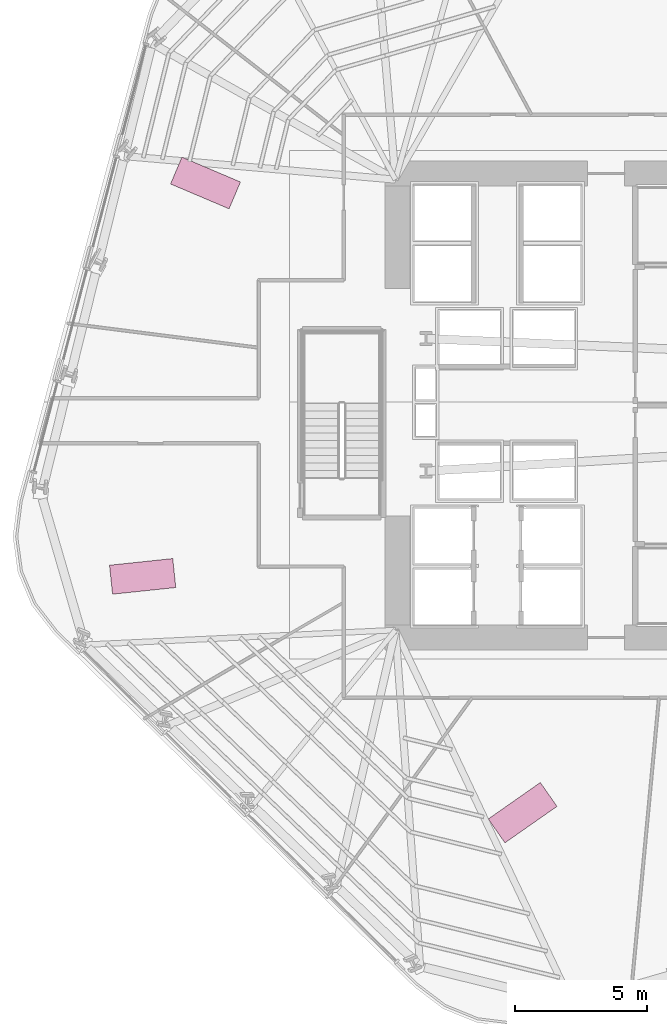
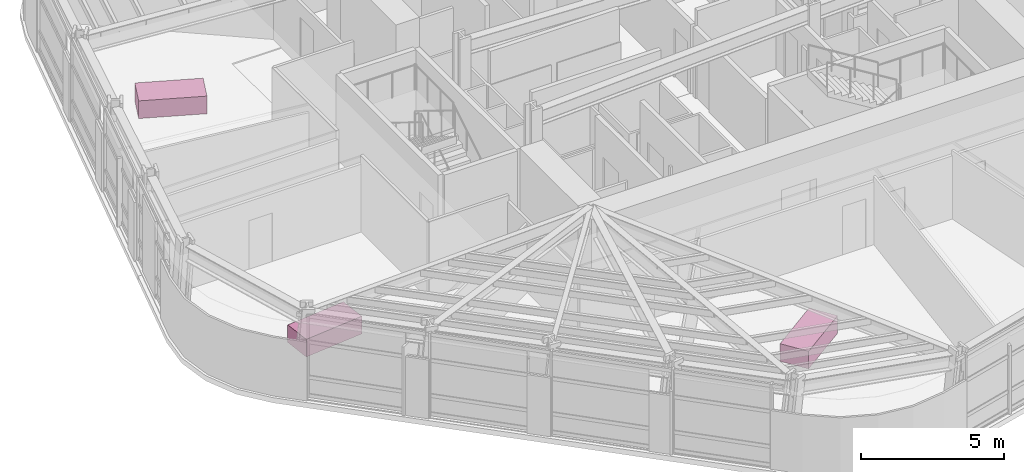
# One storey, part 16 of 16: 3 furniture elements.
"""IFC4 building model written with IfcOpenShell, lengths in metres."""

from ifc_helpers import new_model, si_unit, direction, frame, origin, origin_2d, place, context, subcontext, project, spatial, rectangle, extrude, material, type_object, element, save


model = new_model("IFC4")

# Units and contexts
model_context = context("Model", 3, precision=1e-05, world=origin(), true_north=direction((0.0, 1.0)))
body_context = subcontext(model_context, "Body", "Model", "MODEL_VIEW")
ifc_project = project(units=[si_unit("LENGTHUNIT", "METRE"), si_unit("AREAUNIT", "SQUARE_METRE"), si_unit("VOLUMEUNIT", "CUBIC_METRE"), si_unit("PLANEANGLEUNIT", "RADIAN"), si_unit("MASSUNIT", "GRAM", prefix="KILO")], contexts=[model_context])

# Site, building, storey
site_placement = place(None, origin())
site = spatial("IfcSite", under=ifc_project, at=site_placement, CompositionType="ELEMENT")
building_placement = place(site_placement, origin())
building = spatial("IfcBuilding", under=site, at=building_placement, Name="Valkerne Bourse Tower", CompositionType="ELEMENT")
storey_placement = place(building_placement, frame((0.0, 0.0, 89.60009765625)))
storey = spatial("IfcBuildingStorey", under=building, at=storey_placement, Name="L22", CompositionType="ELEMENT", Elevation=89.60009765625)

# Furniture
ifc_material = material(Name="Architectural White Oak Timber", Category="wood")
furniture_type = type_object("IfcFurnitureType", Name="FURN-DESK-2400", AssemblyPlace="NOTDEFINED", PredefinedType="DESK", material=ifc_material)
for number, where, z_axis, x_axis, name in (
    (1, (30.431884765625, 35.27294921875, 0.044921875), (0.0, 0.0, 1.0), (-0.920504853452, 0.390731128489, 0.0), "L22 Suite Worktable 07"),
    (2, (28.06005859375, 20.427001953125, 0.044921875), (0.0, 0.0, 1.0), (0.994521895368, 0.104528463268, 0.0), "L22 Suite Worktable 08"),
    (3, (42.39990234375, 11.509033203125, 0.044921875), (0.0, 0.0, 1.0), (0.819152044289, 0.573576436351, 0.0), "L22 Suite Worktable 09"),
):
    element("IfcFurniture", number, at=place(storey_placement, frame(where, z_axis=z_axis, x_axis=x_axis)), inside=storey, type_object=furniture_type, Name=name, PredefinedType="DESK", context=body_context, shape_type="SweptSolid", body=[
        extrude(rectangle(XDim=2.39990234375, YDim=1.10009765625, at=origin_2d()), origin(), (0.0, 0.0, 1.0), 0.75),
    ])

save(model, "model.ifc")
